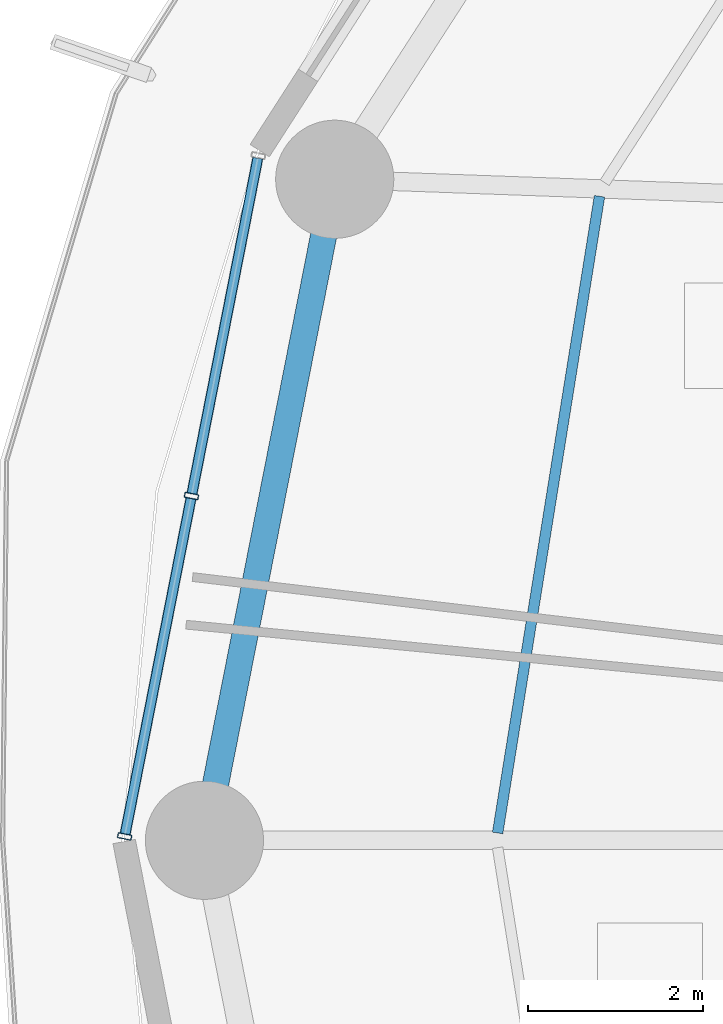
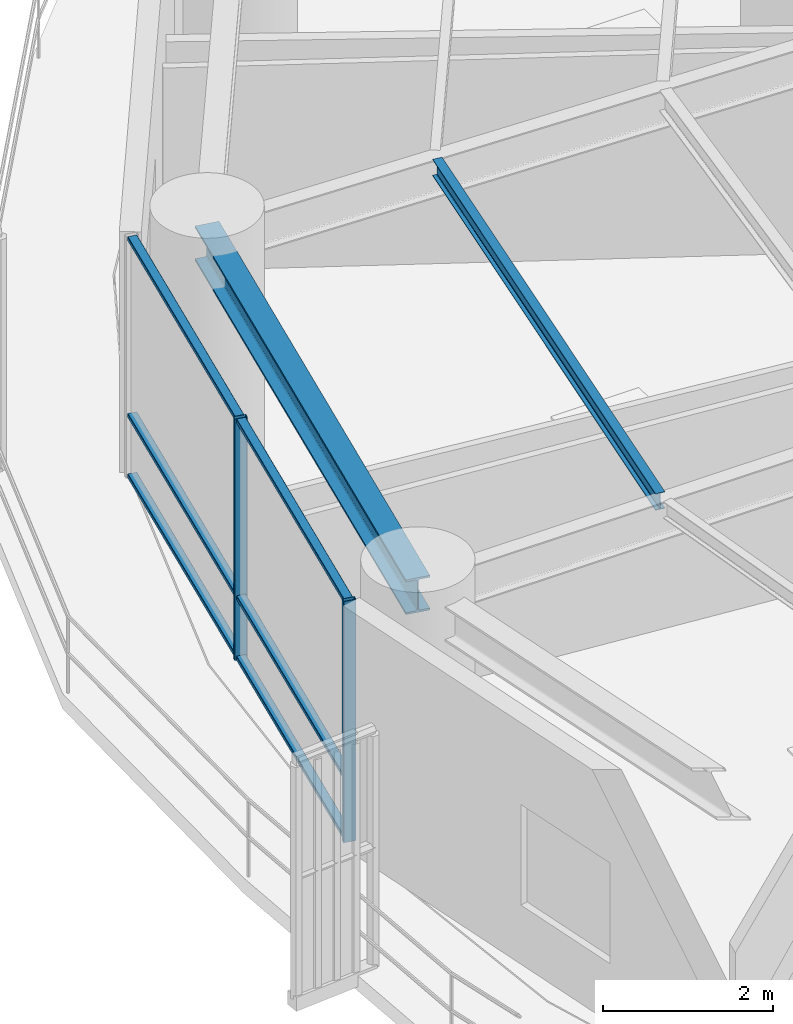
# One storey, part 8 of 36: 8 members, 2 beams, 1 element without a shape of its own.
"""IFC4 building model written with IfcOpenShell, lengths in metres."""

from ifc_helpers import new_model, si_unit, direction, frame, origin, origin_2d, place, context, subcontext, project, spatial, hollow_rectangle, i_section, extrude, material, layer, layer_set, material_profile, profile_set, type_object, element, aggregate, save


model = new_model("IFC4")

# Units and contexts
model_context = context("Model", 3, precision=1e-05, world=origin(), true_north=direction((0.0, 1.0)))
body_context = subcontext(model_context, "Body", "Model", "MODEL_VIEW")
ifc_project = project(units=[si_unit("LENGTHUNIT", "METRE"), si_unit("AREAUNIT", "SQUARE_METRE"), si_unit("VOLUMEUNIT", "CUBIC_METRE"), si_unit("PLANEANGLEUNIT", "RADIAN"), si_unit("MASSUNIT", "GRAM", prefix="KILO")], contexts=[model_context])

# Site, building, storey
site_placement = place(None, origin())
site = spatial("IfcSite", under=ifc_project, at=site_placement, CompositionType="ELEMENT")
building_placement = place(site_placement, origin())
building = spatial("IfcBuilding", under=site, at=building_placement, Name="Kelanora Arch Commons", CompositionType="ELEMENT")
storey_placement = place(building_placement, frame((0.0, 0.0, 98.85009765625)))
storey = spatial("IfcBuildingStorey", under=building, at=storey_placement, Name="L25", CompositionType="ELEMENT", Elevation=98.85009765625)

# Beams
ifc_material_1 = material(Name="Steel S355", Category="steel")
ifc_material_profile_1 = material_profile(ifc_material_1, i_section(OverallWidth=0.1201171875, OverallDepth=0.239990234375, WebThickness=0.006103515625, FlangeThickness=0.009765625, FilletRadius=0.014892578125, at=origin_2d()), Name="IPE240")
ifc_profile_set_1 = profile_set([ifc_material_profile_1], Name="Steel S355")
beam_type_1 = type_object("IfcBeamType", Name="BM-JST-02", PredefinedType="JOIST", material=ifc_profile_set_1)
beam_1_placement = place(storey_placement, frame((53.833251953125, 65.357421875, 3.369873046875), z_axis=(-0.157999549894, -0.987439184068, 0.0), x_axis=(0.987439184068, -0.157999549894, 0.0)))
element("IfcBeam", 1, at=beam_1_placement, inside=storey, type_object=beam_type_1, Name="Secondary Chord Joist BJC-16 L25", PredefinedType="JOIST", context=body_context, shape_type="SweptSolid", body=[
    extrude(i_section(OverallWidth=0.1201171875, OverallDepth=0.239990234375, WebThickness=0.006103515625, FlangeThickness=0.009765625, FilletRadius=0.014892578125, at=origin_2d()), origin(), (0.0, 0.0, 1.0), 7.365966796875),
])
ifc_material_profile_2 = material_profile(ifc_material_1, i_section(OverallWidth=0.300048828125, OverallDepth=0.5, WebThickness=0.014404296875, FlangeThickness=0.028076171875, FilletRadius=0.027099609375, at=origin_2d()), Name="HEB500")
ifc_profile_set_2 = profile_set([ifc_material_profile_2], Name="Steel S355")
beam_type_2 = type_object("IfcBeamType", Name="BM-SPN-Z2", PredefinedType="SPANDREL", material=ifc_profile_set_2)
beam_2_placement = place(storey_placement, frame((50.808349609375, 65.5517578125, 3.239990234375), z_axis=(-0.19335825777, -0.981128220037, 0.0), x_axis=(0.981128220037, -0.19335825777, 0.0)))
element("IfcBeam", 2, at=beam_2_placement, inside=storey, type_object=beam_type_2, Name="Perimeter Spandrel Beam BS-16 L25", PredefinedType="SPANDREL", context=body_context, shape_type="SweptSolid", body=[
    extrude(i_section(OverallWidth=0.300048828125, OverallDepth=0.5, WebThickness=0.014404296875, FlangeThickness=0.028076171875, FilletRadius=0.027099609375, at=origin_2d()), origin(), (0.0, 0.0, 1.0), 7.697021484375),
])

# Curtain wall, members
ifc_material_2 = material(Name="Terracotta ceramic-fritted low-E glass and aluminium", Category="masonry")
ifc_layer = layer(ifc_material_2, 0.159912109375)
ifc_layer_set = layer_set([ifc_layer], Name="Terracotta ceramic-fritted low-E glass and aluminium")
curtain_wall_type = type_object("IfcCurtainWallType", Name="CW-SYS-01", PredefinedType="NOTDEFINED", material=ifc_layer_set)
curtain_wall_placement = place(storey_placement, origin())
curtain_wall = element("IfcCurtainWall", 3, at=curtain_wall_placement, inside=storey, type_object=curtain_wall_type, Name="Unitised Curtain Wall L25-B08", PredefinedType="NOTDEFINED")
ifc_material_3 = material(Name="Powder-coated aluminium terracotta", Category="masonry")
ifc_material_profile_3 = material_profile(ifc_material_3, hollow_rectangle(XDim=0.159912109375, YDim=0.06005859375, WallThickness=0.0048828125, InnerFilletRadius=0.0048828125, OuterFilletRadius=0.010009765625, at=origin_2d()), Name="CWM160x60")
ifc_profile_set_3 = profile_set([ifc_material_profile_3], Name="Powder-coated aluminium terracotta")
member_type_1 = type_object("IfcMemberType", Name="CWM-STD", PredefinedType="MULLION", material=ifc_profile_set_3)
member_1_placement = place(storey_placement, frame((49.171875, 61.933349609375, 0.0), z_axis=(0.0, 0.0, 1.0), x_axis=(0.981280311646, -0.192584916272, 0.0)))
member_1 = element("IfcMember", 4, at=member_1_placement, type_object=member_type_1, Name="CW-01 mullion 2", PredefinedType="MULLION", context=body_context, shape_type="SweptSolid", body=[
    extrude(hollow_rectangle(XDim=0.159912109375, YDim=0.06005859375, WallThickness=0.0048828125, InnerFilletRadius=0.0048828125, OuterFilletRadius=0.010009765625, at=origin_2d()), origin(), (0.0, 0.0, 1.0), 3.474853515625),
])
member_2_placement = place(storey_placement, frame((48.40869140625, 58.044189453125, 0.0), z_axis=(0.0, 0.0, 1.0), x_axis=(0.981280311646, -0.192584916272, 0.0)))
member_2 = element("IfcMember", 5, at=member_2_placement, type_object=member_type_1, Name="CW-01 mullion 3", PredefinedType="MULLION", context=body_context, shape_type="SweptSolid", body=[
    extrude(hollow_rectangle(XDim=0.159912109375, YDim=0.06005859375, WallThickness=0.0048828125, InnerFilletRadius=0.0048828125, OuterFilletRadius=0.010009765625, at=origin_2d()), origin(), (0.0, 0.0, 1.0), 3.474853515625),
])
ifc_material_profile_4 = material_profile(ifc_material_3, hollow_rectangle(XDim=0.1201171875, YDim=0.06005859375, WallThickness=0.0048828125, InnerFilletRadius=0.0048828125, OuterFilletRadius=0.010009765625, at=origin_2d()), Name="CWT120x60")
ifc_profile_set_4 = profile_set([ifc_material_profile_4], Name="Powder-coated aluminium terracotta")
member_type_2 = type_object("IfcMemberType", Name="CWT-STD", PredefinedType="USERDEFINED", material=ifc_profile_set_4)
member_3_placement = place(storey_placement, frame((49.929443359375, 65.79296875, 0.02978515625), z_axis=(-0.192578614785, -0.981281548348, 0.0), x_axis=(0.981281548348, -0.192578614785, 0.0)))
member_3 = element("IfcMember", 6, at=member_3_placement, type_object=member_type_2, Name="CW-01 transom 1.1", ObjectType="TRANSOM", PredefinedType="USERDEFINED", context=body_context, shape_type="SweptSolid", body=[
    extrude(hollow_rectangle(XDim=0.1201171875, YDim=0.06005859375, WallThickness=0.0048828125, InnerFilletRadius=0.0048828125, OuterFilletRadius=0.010009765625, at=origin_2d()), origin(), (0.0, 0.0, 1.0), 3.9033203125),
])
member_4_placement = place(storey_placement, frame((49.929443359375, 65.79296875, 0.89990234375), z_axis=(-0.192578614785, -0.981281548348, 0.0), x_axis=(0.981281548348, -0.192578614785, 0.0)))
member_4 = element("IfcMember", 7, at=member_4_placement, type_object=member_type_2, Name="CW-01 transom 1.2", ObjectType="TRANSOM", PredefinedType="USERDEFINED", context=body_context, shape_type="SweptSolid", body=[
    extrude(hollow_rectangle(XDim=0.1201171875, YDim=0.06005859375, WallThickness=0.0048828125, InnerFilletRadius=0.0048828125, OuterFilletRadius=0.010009765625, at=origin_2d()), origin(), (0.0, 0.0, 1.0), 3.9033203125),
])
member_5_placement = place(storey_placement, frame((49.929443359375, 65.79296875, 3.44482421875), z_axis=(-0.192578614785, -0.981281548348, 0.0), x_axis=(0.981281548348, -0.192578614785, 0.0)))
member_5 = element("IfcMember", 8, at=member_5_placement, type_object=member_type_2, Name="CW-01 transom 1.3", ObjectType="TRANSOM", PredefinedType="USERDEFINED", context=body_context, shape_type="SweptSolid", body=[
    extrude(hollow_rectangle(XDim=0.1201171875, YDim=0.06005859375, WallThickness=0.0048828125, InnerFilletRadius=0.0048828125, OuterFilletRadius=0.010009765625, at=origin_2d()), origin(), (0.0, 0.0, 1.0), 3.9033203125),
])
member_6_placement = place(storey_placement, frame((49.166259765625, 61.90380859375, 0.02978515625), z_axis=(-0.192578614785, -0.981281548348, 0.0), x_axis=(0.981281548348, -0.192578614785, 0.0)))
member_6 = element("IfcMember", 9, at=member_6_placement, type_object=member_type_2, Name="CW-01 transom 2.1", ObjectType="TRANSOM", PredefinedType="USERDEFINED", context=body_context, shape_type="SweptSolid", body=[
    extrude(hollow_rectangle(XDim=0.1201171875, YDim=0.06005859375, WallThickness=0.0048828125, InnerFilletRadius=0.0048828125, OuterFilletRadius=0.010009765625, at=origin_2d()), origin(), (0.0, 0.0, 1.0), 3.9033203125),
])
member_7_placement = place(storey_placement, frame((49.166259765625, 61.90380859375, 0.89990234375), z_axis=(-0.192578614785, -0.981281548348, 0.0), x_axis=(0.981281548348, -0.192578614785, 0.0)))
member_7 = element("IfcMember", 10, at=member_7_placement, type_object=member_type_2, Name="CW-01 transom 2.2", ObjectType="TRANSOM", PredefinedType="USERDEFINED", context=body_context, shape_type="SweptSolid", body=[
    extrude(hollow_rectangle(XDim=0.1201171875, YDim=0.06005859375, WallThickness=0.0048828125, InnerFilletRadius=0.0048828125, OuterFilletRadius=0.010009765625, at=origin_2d()), origin(), (0.0, 0.0, 1.0), 3.9033203125),
])
member_8_placement = place(storey_placement, frame((49.166259765625, 61.90380859375, 3.44482421875), z_axis=(-0.192578614785, -0.981281548348, 0.0), x_axis=(0.981281548348, -0.192578614785, 0.0)))
member_8 = element("IfcMember", 11, at=member_8_placement, type_object=member_type_2, Name="CW-01 transom 2.3", ObjectType="TRANSOM", PredefinedType="USERDEFINED", context=body_context, shape_type="SweptSolid", body=[
    extrude(hollow_rectangle(XDim=0.1201171875, YDim=0.06005859375, WallThickness=0.0048828125, InnerFilletRadius=0.0048828125, OuterFilletRadius=0.010009765625, at=origin_2d()), origin(), (0.0, 0.0, 1.0), 3.9033203125),
])
aggregate(curtain_wall, [member_1, member_2, member_3, member_4, member_5, member_6, member_7, member_8])

save(model, "model.ifc")
